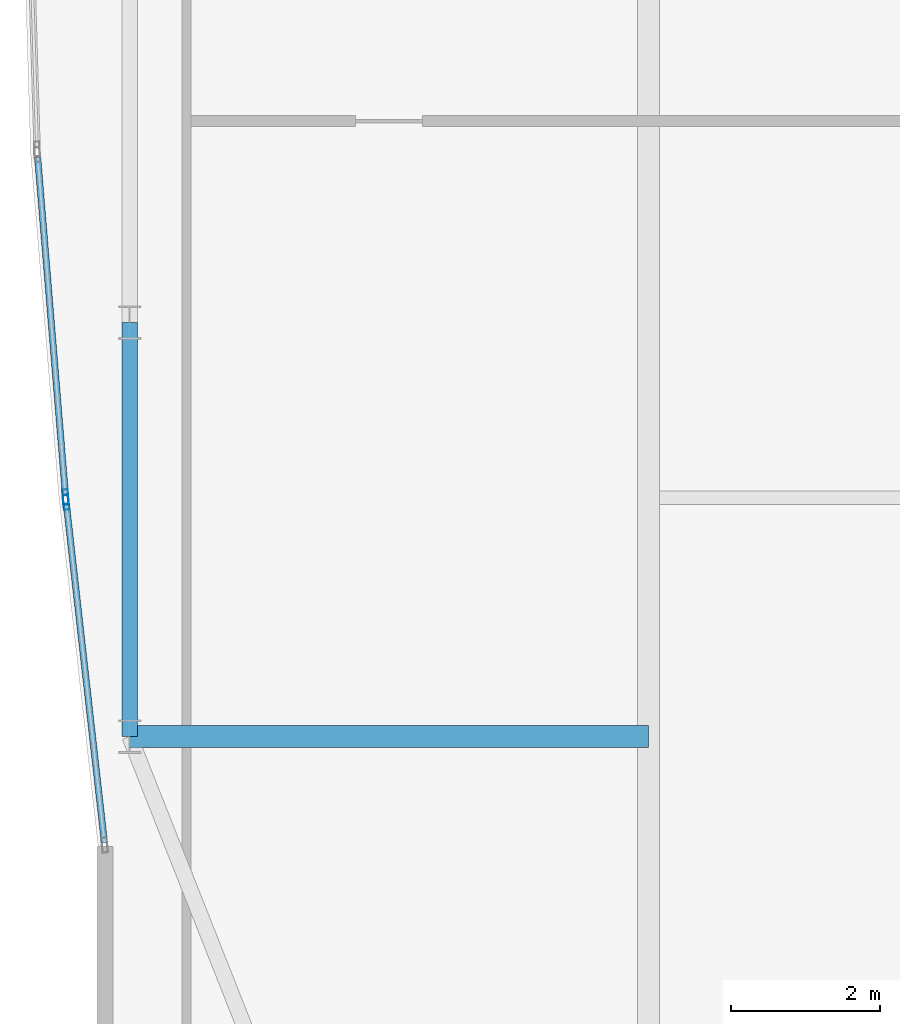
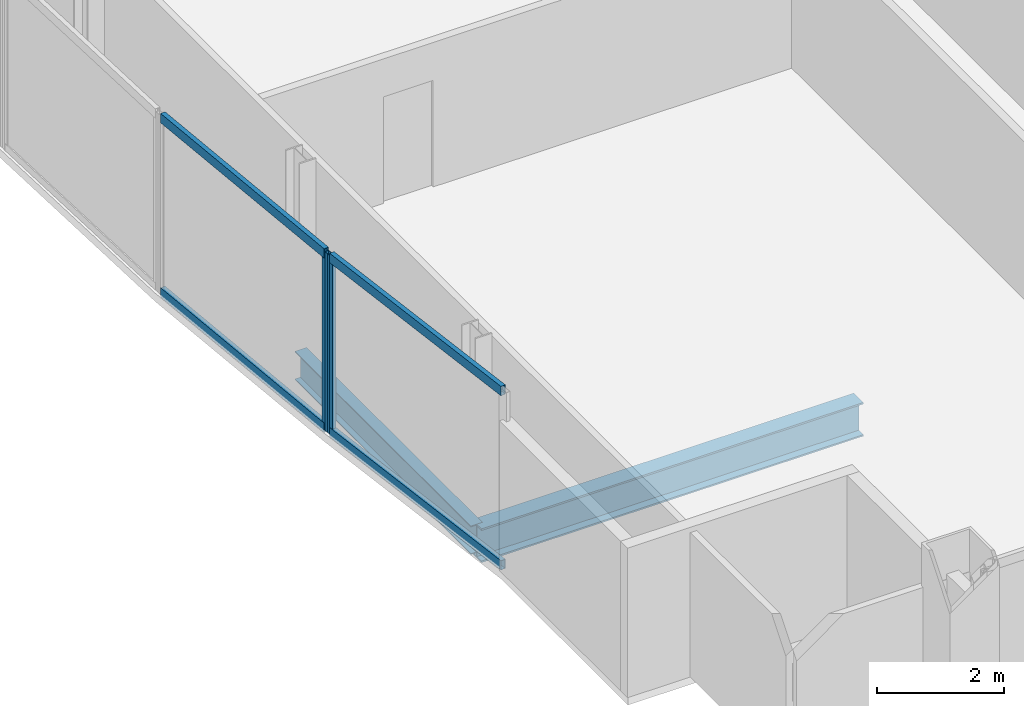
# One storey, part 5 of 25: 6 members, 2 beams, 2 elements without a shape of their own.
"""IFC4 building model written with IfcOpenShell, lengths in metres."""

from ifc_helpers import new_model, si_unit, direction, frame, origin, origin_2d, place, context, subcontext, project, spatial, hollow_rectangle, i_section, extrude, material, material_profile, profile_set, type_object, element, aggregate, save


model = new_model("IFC4")

# Units and contexts
model_context = context("Model", 3, precision=1e-05, world=origin(), true_north=direction((0.0, 1.0)))
body_context = subcontext(model_context, "Body", "Model", "MODEL_VIEW")
ifc_project = project(units=[si_unit("LENGTHUNIT", "METRE"), si_unit("AREAUNIT", "SQUARE_METRE"), si_unit("VOLUMEUNIT", "CUBIC_METRE"), si_unit("PLANEANGLEUNIT", "RADIAN"), si_unit("MASSUNIT", "GRAM", prefix="KILO")], contexts=[model_context])

# Site, building, storey
site_placement = place(None, origin())
site = spatial("IfcSite", under=ifc_project, at=site_placement, CompositionType="ELEMENT")
building_placement = place(site_placement, origin())
building = spatial("IfcBuilding", under=site, at=building_placement, Name="Khoronbel Lancet Exchange", CompositionType="ELEMENT")
storey_placement = place(building_placement, frame((0.0, 0.0, 295.0)))
storey = spatial("IfcBuildingStorey", under=building, at=storey_placement, Name="L76", CompositionType="ELEMENT", Elevation=295.0)

# Beams
ifc_material_1 = material(Name="Steel S355", Category="steel")
ifc_material_profile_1 = material_profile(ifc_material_1, i_section(OverallWidth=0.300048828125, OverallDepth=0.64990234375, WebThickness=0.01611328125, FlangeThickness=0.031005859375, at=origin_2d()), Name="HEB 650")
ifc_profile_set_1 = profile_set([ifc_material_profile_1], Name="Steel S355")
beam_type_1 = type_object("IfcBeamType", Name="BM-BG4", PredefinedType="BEAM", material=ifc_profile_set_1)
beam_1_placement = place(storey_placement, frame((11.27001953125, 19.199951171875, -0.485107421875), z_axis=(1.0, 0.0, 0.0), x_axis=(0.0, 1.0, 0.0)))
element("IfcBeam", 1, at=beam_1_placement, inside=storey, type_object=beam_type_1, Name="Level L76 west lens tie girder LG1W", PredefinedType="BEAM", context=body_context, shape_type="SweptSolid", body=[
    extrude(i_section(OverallWidth=0.300048828125, OverallDepth=0.64990234375, WebThickness=0.01611328125, FlangeThickness=0.031005859375, at=origin_2d()), origin(), (0.0, 0.0, 1.0), 6.955078125),
])
ifc_material_profile_2 = material_profile(ifc_material_1, i_section(OverallWidth=0.2099609375, OverallDepth=0.550048828125, WebThickness=0.010986328125, FlangeThickness=0.01708984375, at=origin_2d()), Name="IPE 550")
ifc_profile_set_2 = profile_set([ifc_material_profile_2], Name="Steel S355")
beam_type_2 = type_object("IfcBeamType", Name="BM-BSP3", PredefinedType="SPANDREL", material=ifc_profile_set_2)
beam_2_placement = place(storey_placement, frame((11.27001953125, 24.75, -0.43505859375), z_axis=(0.0, -1.0, 0.0), x_axis=(1.0, 0.0, 0.0)))
element("IfcBeam", 2, at=beam_2_placement, inside=storey, type_object=beam_type_2, Name="Level L76 perimeter spandrel beam SP20", PredefinedType="SPANDREL", context=body_context, shape_type="SweptSolid", body=[
    extrude(i_section(OverallWidth=0.2099609375, OverallDepth=0.550048828125, WebThickness=0.010986328125, FlangeThickness=0.01708984375, at=origin_2d()), origin(), (0.0, 0.0, 1.0), 5.550048828125),
])

# Curtain wall, member
ifc_material_2 = material(Name="Low-E Solar Control Insulating Glass", Category="glass")
curtain_wall_type = type_object("IfcCurtainWallType", Name="CW-4", PredefinedType="NOTDEFINED", material=ifc_material_2)
curtain_wall_1_placement = place(storey_placement, origin())
curtain_wall_1 = element("IfcCurtainWall", 3, at=curtain_wall_1_placement, inside=storey, type_object=curtain_wall_type, Name="Unitised curtain wall CW-L76-E04", PredefinedType="NOTDEFINED")
ifc_material_3 = material(Name="Bronze-Anodised Aluminium 6063-T6", Category="aluminium")
ifc_material_profile_3 = material_profile(ifc_material_3, hollow_rectangle(XDim=0.074951171875, YDim=0.199951171875, WallThickness=0.0048828125, at=origin_2d()), Name="ALU MULLION 75x200")
ifc_profile_set_3 = profile_set([ifc_material_profile_3], Name="Bronze-Anodised Aluminium 6063-T6")
member_type_1 = type_object("IfcMemberType", Name="MEM-CWM2", PredefinedType="MULLION", material=ifc_profile_set_3)
member_1_placement = place(storey_placement, frame((10.418701171875, 22.338134765625, 0.0), z_axis=(0.0, 0.0, 1.0), x_axis=(-0.993731788903, -0.111790570813, 0.0)))
member_1 = element("IfcMember", 4, at=member_1_placement, type_object=member_type_1, Name="CW4 mullion 2", PredefinedType="MULLION", context=body_context, shape_type="SweptSolid", body=[
    extrude(hollow_rectangle(XDim=0.074951171875, YDim=0.199951171875, WallThickness=0.0048828125, at=origin_2d()), origin(), (0.0, 0.0, 1.0), 3.43994140625),
])

curtain_wall_2_placement = place(storey_placement, origin())
curtain_wall_2 = element("IfcCurtainWall", 5, at=curtain_wall_2_placement, inside=storey, type_object=curtain_wall_type, Name="Unitised curtain wall CW-L76-E05", PredefinedType="NOTDEFINED")
member_2_placement = place(storey_placement, frame((10.41162109375, 22.412841796875, 0.0), z_axis=(0.0, 0.0, 1.0), x_axis=(-0.996626353667, -0.082072596992, 0.0)))
member_2 = element("IfcMember", 6, at=member_2_placement, type_object=member_type_1, Name="CW4 mullion 1", PredefinedType="MULLION", context=body_context, shape_type="SweptSolid", body=[
    extrude(hollow_rectangle(XDim=0.074951171875, YDim=0.199951171875, WallThickness=0.0048828125, at=origin_2d()), origin(), (0.0, 0.0, 1.0), 3.43994140625),
])

# Member
ifc_material_profile_4 = material_profile(ifc_material_3, hollow_rectangle(XDim=0.0849609375, YDim=0.179931640625, WallThickness=0.0048828125, at=origin_2d()), Name="ALU TRANSOM 85x180")
ifc_profile_set_4 = profile_set([ifc_material_profile_4], Name="Bronze-Anodised Aluminium 6063-T6")
member_type_2 = type_object("IfcMemberType", Name="MEM-CWT1", PredefinedType="USERDEFINED", material=ifc_profile_set_4)
member_3_placement = place(storey_placement, frame((10.931640625, 17.779541015625, 0.04248046875), z_axis=(-0.111774239585, 0.993733625961, 0.0), x_axis=(-0.993733625961, -0.111774239585, 0.0)))
member_3 = element("IfcMember", 7, at=member_3_placement, type_object=member_type_2, Name="CW4 transom 1.1", ObjectType="TRANSOM", PredefinedType="USERDEFINED", context=body_context, shape_type="SweptSolid", body=[
    extrude(hollow_rectangle(XDim=0.0849609375, YDim=0.179931640625, WallThickness=0.0048828125, at=origin_2d()), origin(), (0.0, 0.0, 1.0), 4.5498046875),
])

member_4_placement = place(storey_placement, frame((10.931640625, 17.779541015625, 3.3974609375), z_axis=(-0.111774239585, 0.993733625961, 0.0), x_axis=(-0.993733625961, -0.111774239585, 0.0)))
member_4 = element("IfcMember", 8, at=member_4_placement, type_object=member_type_2, Name="CW4 transom 1.2", ObjectType="TRANSOM", PredefinedType="USERDEFINED", context=body_context, shape_type="SweptSolid", body=[
    extrude(hollow_rectangle(XDim=0.0849609375, YDim=0.179931640625, WallThickness=0.0048828125, at=origin_2d()), origin(), (0.0, 0.0, 1.0), 4.5498046875),
])

aggregate(curtain_wall_1, [member_1, member_3, member_4])

member_5_placement = place(storey_placement, frame((10.408447265625, 22.4501953125, 0.04248046875), z_axis=(-0.082050526111, 0.996628170967, 0.0), x_axis=(-0.996628170967, -0.082050526111, 0.0)))
member_5 = element("IfcMember", 9, at=member_5_placement, type_object=member_type_2, Name="CW4 transom 1.1", ObjectType="TRANSOM", PredefinedType="USERDEFINED", context=body_context, shape_type="SweptSolid", body=[
    extrude(hollow_rectangle(XDim=0.0849609375, YDim=0.179931640625, WallThickness=0.0048828125, at=origin_2d()), origin(), (0.0, 0.0, 1.0), 4.52880859375),
])

member_6_placement = place(storey_placement, frame((10.408447265625, 22.4501953125, 3.3974609375), z_axis=(-0.082050526111, 0.996628170967, 0.0), x_axis=(-0.996628170967, -0.082050526111, 0.0)))
member_6 = element("IfcMember", 10, at=member_6_placement, type_object=member_type_2, Name="CW4 transom 1.2", ObjectType="TRANSOM", PredefinedType="USERDEFINED", context=body_context, shape_type="SweptSolid", body=[
    extrude(hollow_rectangle(XDim=0.0849609375, YDim=0.179931640625, WallThickness=0.0048828125, at=origin_2d()), origin(), (0.0, 0.0, 1.0), 4.52880859375),
])

aggregate(curtain_wall_2, [member_2, member_5, member_6])

save(model, "model.ifc")
